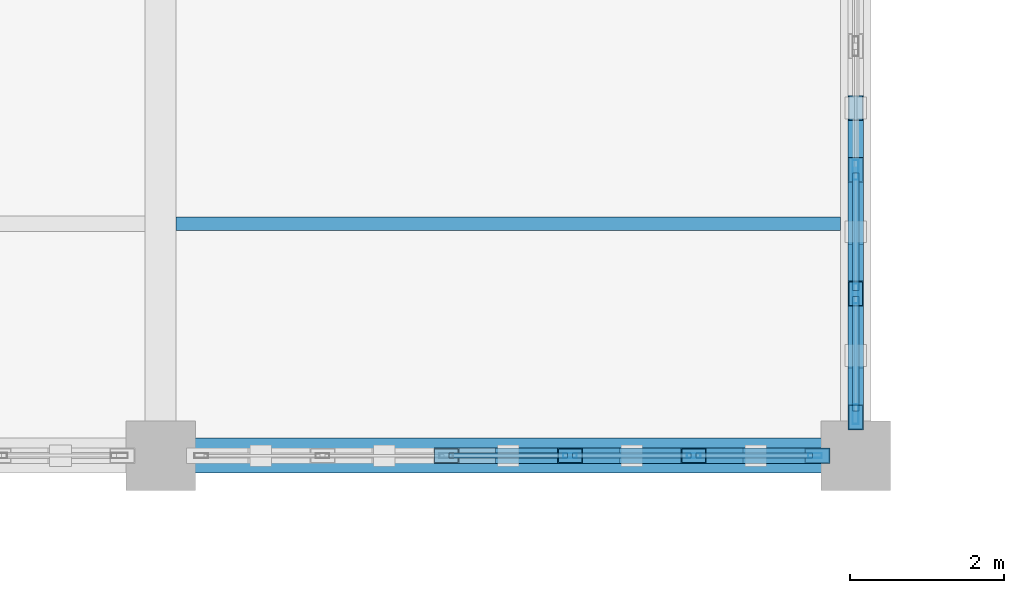
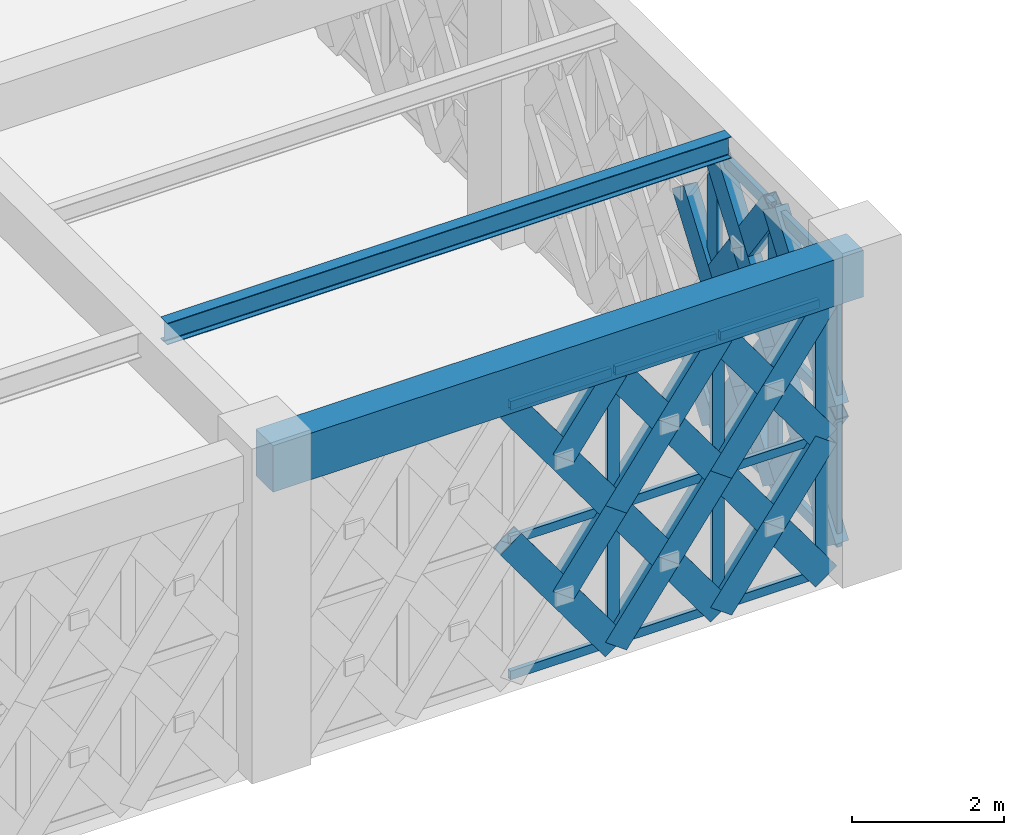
# One storey, part 81 of 155: 51 members, 2 beams, 2 elements without a shape of their own.
"""IFC4 building model written with IfcOpenShell, lengths in metres."""

import ifcopenshell
import ifcopenshell.guid

model = None  # the IFC model being written
_history = None  # IfcOwnerHistory: only IFC2X3 demands one
_inside = {}  # id of a spatial element -> (the spatial element, [elements in it])
_under = {}  # id of a project, library or spatial element -> (it, [spatial elements below it])
_declared = {}  # id of a project -> (the project, [libraries it declares])
_typed = {}  # id of a type object -> (the type object, [elements of that type])
_made_of = {}  # id of a material, layer set ... -> (it, [elements and type objects made of it])


def new_model(schema):
    """Start an empty IFC model of exactly this schema.

    Asked for "IFC4X3", IfcOpenShell would pick the latest addendum, in which some entities
    have other attributes; the version numbers below select the first issue.
    IFC2X3 requires an IfcOwnerHistory on every rooted entity: one is made here for all.
    """
    global model, _history
    if schema == "IFC4X3":
        model = ifcopenshell.file(schema_version=(4, 3, 0, 0))
    else:
        model = ifcopenshell.file(schema=schema)
    _inside.clear()
    _under.clear()
    _declared.clear()
    _typed.clear()
    _made_of.clear()
    _history = None
    if model.schema == "IFC2X3":
        org = make("IfcOrganization", Name="unknown")
        user = make(
            "IfcPersonAndOrganization",
            ThePerson=make("IfcPerson", FamilyName="unknown"),
            TheOrganization=org,
        )
        app = make(
            "IfcApplication",
            ApplicationDeveloper=org,
            Version="unknown",
            ApplicationFullName="unknown",
            ApplicationIdentifier="unknown",
        )
        _history = make(
            "IfcOwnerHistory",
            OwningUser=user,
            OwningApplication=app,
            ChangeAction="ADDED",
            CreationDate=0,
        )
    return model


def make(cls, **values):
    """One entity of the class cls with the attributes given. An attribute that is None is left unset."""
    return model.create_entity(
        cls, **{name: value for name, value in values.items() if value is not None}
    )


def rooted(cls, **values):
    """An entity with a GlobalId (a new one), such as an element, a storey or a relation."""
    return make(cls, GlobalId=ifcopenshell.guid.new(), OwnerHistory=_history, **values)


def si_unit(unit_type, name, prefix=None):
    """IfcSIUnit, for example si_unit("LENGTHUNIT", "METRE", prefix="MILLI")."""
    return make("IfcSIUnit", UnitType=unit_type, Prefix=prefix, Name=name)


def assignment(units):
    """IfcUnitAssignment: the units of a project."""
    return None if units is None else make("IfcUnitAssignment", Units=units)


def point(xyz):
    """IfcCartesianPoint."""
    return None if xyz is None else make("IfcCartesianPoint", Coordinates=xyz)


def direction(xyz):
    """IfcDirection."""
    return None if xyz is None else make("IfcDirection", DirectionRatios=xyz)


def frame(location, z_axis=None, x_axis=None):
    """IfcAxis2Placement3D, a coordinate frame: its origin and axes. An axis left out is left unset."""
    return make(
        "IfcAxis2Placement3D",
        Location=point(location),
        Axis=direction(z_axis),
        RefDirection=direction(x_axis),
    )


def frame_2d(location, x_axis=None):
    """IfcAxis2Placement2D, a coordinate frame in the plane: its origin and x axis."""
    return make(
        "IfcAxis2Placement2D", Location=point(location), RefDirection=direction(x_axis)
    )


def origin():
    """The frame at (0, 0, 0) with its axes left unset."""
    return frame((0.0, 0.0, 0.0))


def origin_2d():
    """The frame at (0, 0) in the plane with its x axis left unset."""
    return frame_2d((0.0, 0.0))


def place(relative_to, where):
    """IfcLocalPlacement: puts the frame where relative to a parent placement (None: the world)."""
    return make(
        "IfcLocalPlacement", PlacementRelTo=relative_to, RelativePlacement=where
    )


def context(
    kind, dimensions, precision=None, world=None, true_north=None, identifier=None
):
    """IfcGeometricRepresentationContext, for example the 3D "Model" context."""
    return make(
        "IfcGeometricRepresentationContext",
        ContextIdentifier=identifier,
        ContextType=kind,
        CoordinateSpaceDimension=dimensions,
        Precision=precision,
        WorldCoordinateSystem=world,
        TrueNorth=true_north,
    )


def subcontext(parent, identifier, kind, view, scale=None):
    """IfcGeometricRepresentationSubContext, for example "Body" below "Model"."""
    return make(
        "IfcGeometricRepresentationSubContext",
        ContextIdentifier=identifier,
        ContextType=kind,
        ParentContext=parent,
        TargetScale=scale,
        TargetView=view,
    )


def project(units=None, contexts=None):
    """IfcProject with its units and contexts."""
    return rooted(
        "IfcProject",
        Name="project",
        RepresentationContexts=contexts,
        UnitsInContext=assignment(units),
    )


def spatial(cls, under=None, at=None, **own):
    """A site, building, storey or space (cls), placed at a placement, below another one or the project."""
    s = rooted(cls, ObjectPlacement=at, **own)
    if under is not None:
        _under.setdefault(under.id(), (under, []))[1].append(s)
    return s


def profile(cls, at=None, kind="AREA", **sizes):
    """A parametric profile (cls). Its sizes go by their IFC names, for example OverallWidth=200.0."""
    return make(cls, ProfileType=kind, Position=at, **sizes)


def rectangle(**sizes):
    """IfcRectangleProfileDef."""
    return profile("IfcRectangleProfileDef", **sizes)


def hollow_rectangle(**sizes):
    """IfcRectangleHollowProfileDef."""
    return profile("IfcRectangleHollowProfileDef", **sizes)


def i_section(**sizes):
    """IfcIShapeProfileDef."""
    return profile("IfcIShapeProfileDef", **sizes)


def extrude(swept, where, along, depth):
    """IfcExtrudedAreaSolid: the profile swept, set in the frame where, extruded along a direction by depth."""
    return make(
        "IfcExtrudedAreaSolid",
        SweptArea=swept,
        Position=where,
        ExtrudedDirection=direction(along),
        Depth=depth,
    )


def shape(context_of_items, identifier, shape_type, items):
    """IfcShapeRepresentation: the items that make up one representation, for example the "Body"."""
    return make(
        "IfcShapeRepresentation",
        ContextOfItems=context_of_items,
        RepresentationIdentifier=identifier,
        RepresentationType=shape_type,
        Items=items,
    )


def material(Name=None, Category=None):
    """IfcMaterial."""
    return make("IfcMaterial", Name=Name, Category=Category)


def material_profile(
    of_material, cross_section, Name=None, Category=None, Priority=None
):
    """IfcMaterialProfile: a cross section and its material."""
    return make(
        "IfcMaterialProfile",
        Name=Name,
        Material=of_material,
        Profile=cross_section,
        Priority=Priority,
        Category=Category,
    )


def profile_set(profiles, Name=None, composite=None):
    """IfcMaterialProfileSet."""
    return make(
        "IfcMaterialProfileSet",
        Name=Name,
        MaterialProfiles=profiles,
        CompositeProfile=composite,
    )


def made_of(thing, what):
    """Note that an element or type object is made of a material, layer set ...; save() writes the relation."""
    if what is not None:
        _made_of.setdefault(what.id(), (what, []))[1].append(thing)
    return thing


def type_object(cls, material=None, **own):
    """A type object (cls), such as IfcWallType, which elements share."""
    return made_of(rooted(cls, **own), material)


def element(
    cls,
    number,
    at=None,
    inside=None,
    cuts=None,
    type_object=None,
    material=None,
    context=None,
    identifier="Body",
    shape_type=None,
    held_by="IfcProductDefinitionShape",
    body=None,
    shapes=None,
    **own,
):
    """One element of the class cls, such as IfcWall. Its Tag is "e" and its number.

    at: its placement. inside: the storey or other place that contains it. cuts: it is an
    opening in that element (IfcRelVoidsElement). A single representation is given by context,
    identifier, shape_type and body (its items); several are given by shapes. held_by: the class
    of the entity that holds the representations. save() writes the other relations.
    """
    e = rooted(cls, Tag="e%d" % number, ObjectPlacement=at, **own)
    if body is not None:
        shapes = [shape(context, identifier, shape_type, body)]
    if shapes is not None:
        e.Representation = make(held_by, Representations=shapes)
    if inside is not None:
        _inside.setdefault(inside.id(), (inside, []))[1].append(e)
    if cuts is not None:
        rooted(
            "IfcRelVoidsElement", RelatingBuildingElement=cuts, RelatedOpeningElement=e
        )
    if type_object is not None:
        _typed.setdefault(type_object.id(), (type_object, []))[1].append(e)
    return made_of(e, material)


def aggregate(whole, parts):
    """IfcRelAggregates: a whole, such as a stair, and the parts it consists of."""
    return rooted("IfcRelAggregates", RelatingObject=whole, RelatedObjects=parts)


def save(model, path):
    """Write the relations noted so far, then the file.

    IfcRelAggregates (storeys below a building ...), IfcRelContainedInSpatialStructure (elements
    in a storey), IfcRelDefinesByType, IfcRelAssociatesMaterial and IfcRelDeclares: one each for
    every whole, place, type object, material and project.
    """
    for whole, parts in _under.values():
        aggregate(whole, parts)
    for where, things in _inside.values():
        rooted(
            "IfcRelContainedInSpatialStructure",
            RelatedElements=things,
            RelatingStructure=where,
        )
    for kind, things in _typed.values():
        rooted("IfcRelDefinesByType", RelatedObjects=things, RelatingType=kind)
    for what, things in _made_of.values():
        rooted("IfcRelAssociatesMaterial", RelatedObjects=things, RelatingMaterial=what)
    for by, libraries in _declared.values():
        rooted("IfcRelDeclares", RelatingContext=by, RelatedDefinitions=libraries)
    model.write(path)


model = new_model("IFC4")

# Units and contexts
model_context = context("Model", 3, precision=1e-05, world=origin(), true_north=direction((0.0, 1.0)))
body_context = subcontext(model_context, "Body", "Model", "MODEL_VIEW")
ifc_project = project(units=[si_unit("LENGTHUNIT", "METRE"), si_unit("AREAUNIT", "SQUARE_METRE"), si_unit("VOLUMEUNIT", "CUBIC_METRE"), si_unit("PLANEANGLEUNIT", "RADIAN"), si_unit("MASSUNIT", "GRAM", prefix="KILO")], contexts=[model_context])

# Site, building, storey
site_placement = place(None, origin())
site = spatial("IfcSite", under=ifc_project, at=site_placement, CompositionType="ELEMENT")
building_placement = place(site_placement, origin())
building = spatial("IfcBuilding", under=site, at=building_placement, Name="Haizhuo Lancet Aquarium", CompositionType="ELEMENT")
storey_placement = place(building_placement, frame((0.0, 0.0, 10.800048828125)))
storey = spatial("IfcBuildingStorey", under=building, at=storey_placement, Name="L02", CompositionType="ELEMENT", Elevation=10.800048828125)

# Beam
ifc_material_1 = material(Name="Concrete C40/50", Category="concrete")
ifc_material_profile_1 = material_profile(ifc_material_1, rectangle(XDim=0.449951171875, YDim=0.75, at=origin_2d()), Name="RC-BM 450x750")
ifc_profile_set_1 = profile_set([ifc_material_profile_1], Name="Concrete C40/50")
beam_type_1 = type_object("IfcBeamType", Name="BM-RC-450x750", PredefinedType="BEAM", material=ifc_profile_set_1)
beam_1_placement = place(storey_placement, frame((18.0, 36.0, 4.784912109375), z_axis=(1.0, 0.0, 0.0), x_axis=(0.0, 1.0, 0.0)))
element("IfcBeam", 1, at=beam_1_placement, inside=storey, type_object=beam_type_1, Name="L02 V5 primary girder BM-L02-V5-029", PredefinedType="BEAM", context=body_context, shape_type="SweptSolid", body=[
    extrude(rectangle(XDim=0.449951171875, YDim=0.75, at=origin_2d()), origin(), (0.0, 0.0, 1.0), 9.0),
])

# Curtain wall, members
ifc_material_2 = material(Name="Aluminium 6063-T6", Category="aluminium")
curtain_wall_type_1 = type_object("IfcCurtainWallType", Name="CWD-8010x4410", PredefinedType="NOTDEFINED", material=ifc_material_2)
curtain_wall_1_placement = place(storey_placement, origin())
curtain_wall_1 = element("IfcCurtainWall", 2, at=curtain_wall_1_placement, inside=storey, type_object=curtain_wall_type_1, Name="L02 curtain wall CW-V5-L02-154", PredefinedType="NOTDEFINED")
ifc_material_profile_2 = material_profile(ifc_material_2, hollow_rectangle(XDim=0.06494140625, YDim=0.179931640625, WallThickness=0.00390625, at=origin_2d()), Name="ALU-M 65x180x4")
ifc_profile_set_2 = profile_set([ifc_material_profile_2], Name="Aluminium 6063-T6")
member_type_1 = type_object("IfcMemberType", Name="CW-MUL-1", PredefinedType="MULLION", material=ifc_profile_set_2)
member_1_placement = place(storey_placement, frame((26.472900390625, 36.0, 0.0), z_axis=(0.0, 0.0, 1.0), x_axis=(0.0, -1.0, 0.0)))
member_1 = element("IfcMember", 3, at=member_1_placement, type_object=member_type_1, Name="CWD-80x44 mullion 1", PredefinedType="MULLION", context=body_context, shape_type="SweptSolid", body=[
    extrude(hollow_rectangle(XDim=0.06494140625, YDim=0.179931640625, WallThickness=0.00390625, at=origin_2d()), origin(), (0.0, 0.0, 1.0), 4.409912109375),
])
member_2_placement = place(storey_placement, frame((24.903076171875, 36.0, 0.0), z_axis=(0.0, 0.0, 1.0), x_axis=(0.0, -1.0, 0.0)))
member_2 = element("IfcMember", 4, at=member_2_placement, type_object=member_type_1, Name="CWD-80x44 mullion 2", PredefinedType="MULLION", context=body_context, shape_type="SweptSolid", body=[
    extrude(hollow_rectangle(XDim=0.06494140625, YDim=0.179931640625, WallThickness=0.00390625, at=origin_2d()), origin(), (0.0, 0.0, 1.0), 4.409912109375),
])
member_3_placement = place(storey_placement, frame((23.301025390625, 36.0, 0.0), z_axis=(0.0, 0.0, 1.0), x_axis=(0.0, -1.0, 0.0)))
member_3 = element("IfcMember", 5, at=member_3_placement, type_object=member_type_1, Name="CWD-80x44 mullion 3", PredefinedType="MULLION", context=body_context, shape_type="SweptSolid", body=[
    extrude(hollow_rectangle(XDim=0.06494140625, YDim=0.179931640625, WallThickness=0.00390625, at=origin_2d()), origin(), (0.0, 0.0, 1.0), 4.409912109375),
])

curtain_wall_type_2 = type_object("IfcCurtainWallType", Name="CWD-8010x4460", PredefinedType="NOTDEFINED", material=ifc_material_2)
curtain_wall_2_placement = place(storey_placement, origin())
curtain_wall_2 = element("IfcCurtainWall", 6, at=curtain_wall_2_placement, inside=storey, type_object=curtain_wall_type_2, Name="L02 curtain wall CW-V5-L02-153", PredefinedType="NOTDEFINED")
ifc_material_profile_3 = material_profile(ifc_material_2, hollow_rectangle(XDim=0.080078125, YDim=0.260009765625, WallThickness=0.0048828125, at=origin_2d()), Name="ALU-M 80x260x5")
ifc_profile_set_3 = profile_set([ifc_material_profile_3], Name="Aluminium 6063-T6")
member_type_2 = type_object("IfcMemberType", Name="CW-MUL-3", PredefinedType="MULLION", material=ifc_profile_set_3)
member_4_placement = place(storey_placement, frame((27.0, 39.698974609375, 0.0), z_axis=(0.0, 0.0, 1.0), x_axis=(1.0, 0.0, 0.0)))
member_4 = element("IfcMember", 7, at=member_4_placement, type_object=member_type_2, Name="CWD-80x44 mullion 4", PredefinedType="MULLION", context=body_context, shape_type="SweptSolid", body=[
    extrude(hollow_rectangle(XDim=0.080078125, YDim=0.260009765625, WallThickness=0.0048828125, at=origin_2d()), origin(), (0.0, 0.0, 1.0), 4.4599609375),
])
member_5_placement = place(storey_placement, frame((27.0, 38.096923828125, 0.0), z_axis=(0.0, 0.0, 1.0), x_axis=(1.0, 0.0, 0.0)))
member_5 = element("IfcMember", 8, at=member_5_placement, type_object=member_type_2, Name="CWD-80x44 mullion 5", PredefinedType="MULLION", context=body_context, shape_type="SweptSolid", body=[
    extrude(hollow_rectangle(XDim=0.080078125, YDim=0.260009765625, WallThickness=0.0048828125, at=origin_2d()), origin(), (0.0, 0.0, 1.0), 4.4599609375),
])
member_6_placement = place(storey_placement, frame((27.0, 36.534912109375, 0.0), z_axis=(0.0, 0.0, 1.0), x_axis=(1.0, 0.0, 0.0)))
member_6 = element("IfcMember", 9, at=member_6_placement, type_object=member_type_2, Name="CWD-80x44 mullion 6", PredefinedType="MULLION", context=body_context, shape_type="SweptSolid", body=[
    extrude(hollow_rectangle(XDim=0.080078125, YDim=0.260009765625, WallThickness=0.0048828125, at=origin_2d()), origin(), (0.0, 0.0, 1.0), 4.4599609375),
])

# Member
ifc_material_profile_4 = material_profile(ifc_material_2, hollow_rectangle(XDim=0.06494140625, YDim=0.139892578125, WallThickness=0.00390625, at=origin_2d()), Name="ALU-T 65x140x4")
ifc_profile_set_4 = profile_set([ifc_material_profile_4], Name="Aluminium 6063-T6")
member_type_3 = type_object("IfcMemberType", Name="CW-TRN-1", PredefinedType="NOTDEFINED", material=ifc_profile_set_4)
member_7_placement = place(storey_placement, frame((26.43994140625, 36.0, 0.032958984375), z_axis=(-1.0, 0.0, 0.0), x_axis=(0.0, -1.0, 0.0)))
member_7 = element("IfcMember", 10, at=member_7_placement, type_object=member_type_3, Name="CWD-80x44 transom 1.1", ObjectType="TRANSOM", PredefinedType="USERDEFINED", context=body_context, shape_type="SweptSolid", body=[
    extrude(hollow_rectangle(XDim=0.06494140625, YDim=0.139892578125, WallThickness=0.00390625, at=origin_2d()), origin(), (0.0, 0.0, 1.0), 1.5048828125),
])

member_8_placement = place(storey_placement, frame((26.43994140625, 36.0, 2.204833984375), z_axis=(-1.0, 0.0, 0.0), x_axis=(0.0, -1.0, 0.0)))
member_8 = element("IfcMember", 11, at=member_8_placement, type_object=member_type_3, Name="CWD-80x44 transom 1.2", ObjectType="TRANSOM", PredefinedType="USERDEFINED", context=body_context, shape_type="SweptSolid", body=[
    extrude(hollow_rectangle(XDim=0.06494140625, YDim=0.139892578125, WallThickness=0.00390625, at=origin_2d()), origin(), (0.0, 0.0, 1.0), 1.5048828125),
])

member_9_placement = place(storey_placement, frame((26.43994140625, 36.0, 4.3779296875), z_axis=(-1.0, 0.0, 0.0), x_axis=(0.0, -1.0, 0.0)))
member_9 = element("IfcMember", 12, at=member_9_placement, type_object=member_type_3, Name="CWD-80x44 transom 1.3", ObjectType="TRANSOM", PredefinedType="USERDEFINED", context=body_context, shape_type="SweptSolid", body=[
    extrude(hollow_rectangle(XDim=0.06494140625, YDim=0.139892578125, WallThickness=0.00390625, at=origin_2d()), origin(), (0.0, 0.0, 1.0), 1.5048828125),
])

member_10_placement = place(storey_placement, frame((24.8701171875, 36.0, 0.032958984375), z_axis=(-1.0, 0.0, 0.0), x_axis=(0.0, -1.0, 0.0)))
member_10 = element("IfcMember", 13, at=member_10_placement, type_object=member_type_3, Name="CWD-80x44 transom 2.1", ObjectType="TRANSOM", PredefinedType="USERDEFINED", context=body_context, shape_type="SweptSolid", body=[
    extrude(hollow_rectangle(XDim=0.06494140625, YDim=0.139892578125, WallThickness=0.00390625, at=origin_2d()), origin(), (0.0, 0.0, 1.0), 1.5361328125),
])

member_11_placement = place(storey_placement, frame((24.8701171875, 36.0, 2.204833984375), z_axis=(-1.0, 0.0, 0.0), x_axis=(0.0, -1.0, 0.0)))
member_11 = element("IfcMember", 14, at=member_11_placement, type_object=member_type_3, Name="CWD-80x44 transom 2.2", ObjectType="TRANSOM", PredefinedType="USERDEFINED", context=body_context, shape_type="SweptSolid", body=[
    extrude(hollow_rectangle(XDim=0.06494140625, YDim=0.139892578125, WallThickness=0.00390625, at=origin_2d()), origin(), (0.0, 0.0, 1.0), 1.5361328125),
])

member_12_placement = place(storey_placement, frame((24.8701171875, 36.0, 4.3779296875), z_axis=(-1.0, 0.0, 0.0), x_axis=(0.0, -1.0, 0.0)))
member_12 = element("IfcMember", 15, at=member_12_placement, type_object=member_type_3, Name="CWD-80x44 transom 2.3", ObjectType="TRANSOM", PredefinedType="USERDEFINED", context=body_context, shape_type="SweptSolid", body=[
    extrude(hollow_rectangle(XDim=0.06494140625, YDim=0.139892578125, WallThickness=0.00390625, at=origin_2d()), origin(), (0.0, 0.0, 1.0), 1.5361328125),
])

member_13_placement = place(storey_placement, frame((23.26806640625, 36.0, 0.032958984375), z_axis=(-1.0, 0.0, 0.0), x_axis=(0.0, -1.0, 0.0)))
member_13 = element("IfcMember", 16, at=member_13_placement, type_object=member_type_3, Name="CWD-80x44 transom 3.1", ObjectType="TRANSOM", PredefinedType="USERDEFINED", context=body_context, shape_type="SweptSolid", body=[
    extrude(hollow_rectangle(XDim=0.06494140625, YDim=0.139892578125, WallThickness=0.00390625, at=origin_2d()), origin(), (0.0, 0.0, 1.0), 1.5361328125),
])

member_14_placement = place(storey_placement, frame((23.26806640625, 36.0, 2.204833984375), z_axis=(-1.0, 0.0, 0.0), x_axis=(0.0, -1.0, 0.0)))
member_14 = element("IfcMember", 17, at=member_14_placement, type_object=member_type_3, Name="CWD-80x44 transom 3.2", ObjectType="TRANSOM", PredefinedType="USERDEFINED", context=body_context, shape_type="SweptSolid", body=[
    extrude(hollow_rectangle(XDim=0.06494140625, YDim=0.139892578125, WallThickness=0.00390625, at=origin_2d()), origin(), (0.0, 0.0, 1.0), 1.5361328125),
])

member_15_placement = place(storey_placement, frame((23.26806640625, 36.0, 4.3779296875), z_axis=(-1.0, 0.0, 0.0), x_axis=(0.0, -1.0, 0.0)))
member_15 = element("IfcMember", 18, at=member_15_placement, type_object=member_type_3, Name="CWD-80x44 transom 3.3", ObjectType="TRANSOM", PredefinedType="USERDEFINED", context=body_context, shape_type="SweptSolid", body=[
    extrude(hollow_rectangle(XDim=0.06494140625, YDim=0.139892578125, WallThickness=0.00390625, at=origin_2d()), origin(), (0.0, 0.0, 1.0), 1.5361328125),
])

aggregate(curtain_wall_1, [member_1, member_2, member_3, member_7, member_8, member_9, member_10, member_11, member_12, member_13, member_14, member_15])

ifc_material_profile_5 = material_profile(ifc_material_2, hollow_rectangle(XDim=0.080078125, YDim=0.18994140625, WallThickness=0.0048828125, at=origin_2d()), Name="ALU-T 80x190x5")
ifc_profile_set_5 = profile_set([ifc_material_profile_5], Name="Aluminium 6063-T6")
member_type_4 = type_object("IfcMemberType", Name="CW-TRN-3", PredefinedType="NOTDEFINED", material=ifc_profile_set_5)
member_16_placement = place(storey_placement, frame((27.0, 39.658935546875, 0.0400390625), z_axis=(0.0, -1.0, 0.0), x_axis=(1.0, 0.0, 0.0)))
member_16 = element("IfcMember", 19, at=member_16_placement, type_object=member_type_4, Name="CWD-80x44 transom 4.1", ObjectType="TRANSOM", PredefinedType="USERDEFINED", context=body_context, shape_type="SweptSolid", body=[
    extrude(hollow_rectangle(XDim=0.080078125, YDim=0.18994140625, WallThickness=0.0048828125, at=origin_2d()), origin(), (0.0, 0.0, 1.0), 1.52197265625),
])

member_17_placement = place(storey_placement, frame((27.0, 39.658935546875, 2.22998046875), z_axis=(0.0, -1.0, 0.0), x_axis=(1.0, 0.0, 0.0)))
member_17 = element("IfcMember", 20, at=member_17_placement, type_object=member_type_4, Name="CWD-80x44 transom 4.2", ObjectType="TRANSOM", PredefinedType="USERDEFINED", context=body_context, shape_type="SweptSolid", body=[
    extrude(hollow_rectangle(XDim=0.080078125, YDim=0.18994140625, WallThickness=0.0048828125, at=origin_2d()), origin(), (0.0, 0.0, 1.0), 1.52197265625),
])

member_18_placement = place(storey_placement, frame((27.0, 39.658935546875, 4.419921875), z_axis=(0.0, -1.0, 0.0), x_axis=(1.0, 0.0, 0.0)))
member_18 = element("IfcMember", 21, at=member_18_placement, type_object=member_type_4, Name="CWD-80x44 transom 4.3", ObjectType="TRANSOM", PredefinedType="USERDEFINED", context=body_context, shape_type="SweptSolid", body=[
    extrude(hollow_rectangle(XDim=0.080078125, YDim=0.18994140625, WallThickness=0.0048828125, at=origin_2d()), origin(), (0.0, 0.0, 1.0), 1.52197265625),
])

member_19_placement = place(storey_placement, frame((27.0, 38.056884765625, 0.0400390625), z_axis=(0.0, -1.0, 0.0), x_axis=(1.0, 0.0, 0.0)))
member_19 = element("IfcMember", 22, at=member_19_placement, type_object=member_type_4, Name="CWD-80x44 transom 5.1", ObjectType="TRANSOM", PredefinedType="USERDEFINED", context=body_context, shape_type="SweptSolid", body=[
    extrude(hollow_rectangle(XDim=0.080078125, YDim=0.18994140625, WallThickness=0.0048828125, at=origin_2d()), origin(), (0.0, 0.0, 1.0), 1.48193359375),
])

member_20_placement = place(storey_placement, frame((27.0, 38.056884765625, 2.22998046875), z_axis=(0.0, -1.0, 0.0), x_axis=(1.0, 0.0, 0.0)))
member_20 = element("IfcMember", 23, at=member_20_placement, type_object=member_type_4, Name="CWD-80x44 transom 5.2", ObjectType="TRANSOM", PredefinedType="USERDEFINED", context=body_context, shape_type="SweptSolid", body=[
    extrude(hollow_rectangle(XDim=0.080078125, YDim=0.18994140625, WallThickness=0.0048828125, at=origin_2d()), origin(), (0.0, 0.0, 1.0), 1.48193359375),
])

member_21_placement = place(storey_placement, frame((27.0, 38.056884765625, 4.419921875), z_axis=(0.0, -1.0, 0.0), x_axis=(1.0, 0.0, 0.0)))
member_21 = element("IfcMember", 24, at=member_21_placement, type_object=member_type_4, Name="CWD-80x44 transom 5.3", ObjectType="TRANSOM", PredefinedType="USERDEFINED", context=body_context, shape_type="SweptSolid", body=[
    extrude(hollow_rectangle(XDim=0.080078125, YDim=0.18994140625, WallThickness=0.0048828125, at=origin_2d()), origin(), (0.0, 0.0, 1.0), 1.48193359375),
])

aggregate(curtain_wall_2, [member_4, member_5, member_6, member_16, member_17, member_18, member_19, member_20, member_21])

# Beam
ifc_material_3 = material(Name="Steel S355", Category="steel")
ifc_material_profile_6 = material_profile(ifc_material_3, i_section(OverallWidth=0.175048828125, OverallDepth=0.35009765625, WebThickness=0.007080078125, FlangeThickness=0.010986328125, FilletRadius=0.013916015625, at=origin_2d()), Name="HN 350x175x7x11")
ifc_profile_set_6 = profile_set([ifc_material_profile_6], Name="Steel S355")
beam_type_2 = type_object("IfcBeamType", Name="JST-ST-HN350", PredefinedType="JOIST", material=ifc_profile_set_6)
beam_2_placement = place(storey_placement, frame((18.199951171875, 39.0, 4.98486328125), z_axis=(1.0, 0.0, 0.0), x_axis=(0.0, 1.0, 0.0)))
element("IfcBeam", 25, at=beam_2_placement, inside=storey, type_object=beam_type_2, Name="L02 V5 secondary floor joist 15", PredefinedType="JOIST", context=body_context, shape_type="SweptSolid", body=[
    extrude(i_section(OverallWidth=0.175048828125, OverallDepth=0.35009765625, WebThickness=0.007080078125, FlangeThickness=0.010986328125, FilletRadius=0.013916015625, at=origin_2d()), origin(), (0.0, 0.0, 1.0), 8.60009765625),
])

# Members
ifc_material_profile_7 = material_profile(ifc_material_3, hollow_rectangle(XDim=0.199951171875, YDim=0.39990234375, WallThickness=0.011962890625, at=origin_2d()), Name="RHS 200x400x12")
ifc_profile_set_7 = profile_set([ifc_material_profile_7], Name="Steel S355")
member_type_5 = type_object("IfcMemberType", Name="MEM-LB-RHS200x400", PredefinedType="BRACE", material=ifc_profile_set_7)
for number, where, z_axis, x_axis, name in (
    (26, (27.0, 39.698974609375, 0.0), (0.0, 0.583456487426, 0.81214440051), (-1.0, 0.0, 0.0), "Gothic lancet split diagonal brace CW-V5-L02-153 5B1"),
    (27, (27.0, 39.698974609375, 2.22998046875), (0.0, 0.583456487426, 0.81214440051), (-1.0, 0.0, 0.0), "Gothic lancet split diagonal brace CW-V5-L02-153 6B1"),
):
    element("IfcMember", number, at=place(storey_placement, frame(where, z_axis=z_axis, x_axis=x_axis)), inside=storey, type_object=member_type_5, Name=name, PredefinedType="BRACE", context=body_context, shape_type="SweptSolid", body=[
        extrude(hollow_rectangle(XDim=0.199951171875, YDim=0.39990234375, WallThickness=0.011962890625, at=origin_2d()), origin(), (0.0, 0.0, 1.0), 1.372802734375),
    ])
member_22_placement = place(storey_placement, frame((27.0, 39.698974609375, 0.0), z_axis=(0.0, -0.583456487426, 0.81214440051), x_axis=(1.0, 0.0, 0.0)))
element("IfcMember", 28, at=member_22_placement, inside=storey, type_object=member_type_5, Name="Gothic lancet continuous diagonal brace CW-V5-L02-153 7A", PredefinedType="BRACE", context=body_context, shape_type="SweptSolid", body=[
    extrude(hollow_rectangle(XDim=0.199951171875, YDim=0.39990234375, WallThickness=0.011962890625, at=origin_2d()), origin(), (0.0, 0.0, 1.0), 2.745849609375),
])
for number, where, z_axis, x_axis, name in (
    (29, (27.0, 38.096923828125, 0.0), (0.0, 0.583456487426, 0.81214440051), (-1.0, 0.0, 0.0), "Gothic lancet split diagonal brace CW-V5-L02-153 7B1"),
    (30, (27.0, 38.89794921875, 1.114990234375), (0.0, 0.583456487426, 0.81214440051), (-1.0, 0.0, 0.0), "Gothic lancet split diagonal brace CW-V5-L02-153 7B2"),
):
    element("IfcMember", number, at=place(storey_placement, frame(where, z_axis=z_axis, x_axis=x_axis)), inside=storey, type_object=member_type_5, Name=name, PredefinedType="BRACE", context=body_context, shape_type="SweptSolid", body=[
        extrude(hollow_rectangle(XDim=0.199951171875, YDim=0.39990234375, WallThickness=0.011962890625, at=origin_2d()), origin(), (0.0, 0.0, 1.0), 1.372802734375),
    ])
member_23_placement = place(storey_placement, frame((27.0, 39.698974609375, 2.22998046875), z_axis=(0.0, -0.583456487426, 0.81214440051), x_axis=(1.0, 0.0, 0.0)))
element("IfcMember", 31, at=member_23_placement, inside=storey, type_object=member_type_5, Name="Gothic lancet continuous diagonal brace CW-V5-L02-153 8A", PredefinedType="BRACE", context=body_context, shape_type="SweptSolid", body=[
    extrude(hollow_rectangle(XDim=0.199951171875, YDim=0.39990234375, WallThickness=0.011962890625, at=origin_2d()), origin(), (0.0, 0.0, 1.0), 2.745849609375),
])
for number, where, z_axis, x_axis, name in (
    (32, (27.0, 38.096923828125, 2.22998046875), (0.0, 0.583456487426, 0.81214440051), (-1.0, 0.0, 0.0), "Gothic lancet split diagonal brace CW-V5-L02-153 8B1"),
    (33, (27.0, 38.89794921875, 3.344970703125), (0.0, 0.583456487426, 0.81214440051), (-1.0, 0.0, 0.0), "Gothic lancet split diagonal brace CW-V5-L02-153 8B2"),
):
    element("IfcMember", number, at=place(storey_placement, frame(where, z_axis=z_axis, x_axis=x_axis)), inside=storey, type_object=member_type_5, Name=name, PredefinedType="BRACE", context=body_context, shape_type="SweptSolid", body=[
        extrude(hollow_rectangle(XDim=0.199951171875, YDim=0.39990234375, WallThickness=0.011962890625, at=origin_2d()), origin(), (0.0, 0.0, 1.0), 1.372802734375),
    ])
member_24_placement = place(storey_placement, frame((27.0, 38.096923828125, 0.0), z_axis=(0.0, -0.583397836814, 0.812186532763), x_axis=(1.0, 0.0, 0.0)))
element("IfcMember", 34, at=member_24_placement, inside=storey, type_object=member_type_5, Name="Gothic lancet continuous diagonal brace CW-V5-L02-153 9A", PredefinedType="BRACE", context=body_context, shape_type="SweptSolid", body=[
    extrude(hollow_rectangle(XDim=0.199951171875, YDim=0.39990234375, WallThickness=0.011962890625, at=origin_2d()), origin(), (0.0, 0.0, 1.0), 2.74560546875),
])
for number, where, z_axis, x_axis, name in (
    (35, (27.0, 36.4951171875, 0.0), (0.0, 0.583339177073, 0.81222866515), (-1.0, 0.0, 0.0), "Gothic lancet split diagonal brace CW-V5-L02-153 9B1"),
    (36, (27.0, 37.2958984375, 1.114990234375), (0.0, 0.583456487426, 0.81214440051), (-1.0, 0.0, 0.0), "Gothic lancet split diagonal brace CW-V5-L02-153 9B2"),
):
    element("IfcMember", number, at=place(storey_placement, frame(where, z_axis=z_axis, x_axis=x_axis)), inside=storey, type_object=member_type_5, Name=name, PredefinedType="BRACE", context=body_context, shape_type="SweptSolid", body=[
        extrude(hollow_rectangle(XDim=0.199951171875, YDim=0.39990234375, WallThickness=0.011962890625, at=origin_2d()), origin(), (0.0, 0.0, 1.0), 1.372802734375),
    ])
member_25_placement = place(storey_placement, frame((27.0, 38.096923828125, 2.22998046875), z_axis=(0.0, -0.583397836814, 0.812186532763), x_axis=(1.0, 0.0, 0.0)))
element("IfcMember", 37, at=member_25_placement, inside=storey, type_object=member_type_5, Name="Gothic lancet continuous diagonal brace CW-V5-L02-153 10A", PredefinedType="BRACE", context=body_context, shape_type="SweptSolid", body=[
    extrude(hollow_rectangle(XDim=0.199951171875, YDim=0.39990234375, WallThickness=0.011962890625, at=origin_2d()), origin(), (0.0, 0.0, 1.0), 2.74560546875),
])
for number, where, z_axis, x_axis, name in (
    (38, (27.0, 36.4951171875, 2.22998046875), (0.0, 0.583339177073, 0.81222866515), (-1.0, 0.0, 0.0), "Gothic lancet split diagonal brace CW-V5-L02-153 10B1"),
    (39, (27.0, 37.2958984375, 3.344970703125), (0.0, 0.583456487426, 0.81214440051), (-1.0, 0.0, 0.0), "Gothic lancet split diagonal brace CW-V5-L02-153 10B2"),
):
    element("IfcMember", number, at=place(storey_placement, frame(where, z_axis=z_axis, x_axis=x_axis)), inside=storey, type_object=member_type_5, Name=name, PredefinedType="BRACE", context=body_context, shape_type="SweptSolid", body=[
        extrude(hollow_rectangle(XDim=0.199951171875, YDim=0.39990234375, WallThickness=0.011962890625, at=origin_2d()), origin(), (0.0, 0.0, 1.0), 1.372802734375),
    ])
member_26_placement = place(storey_placement, frame((26.5048828125, 36.0, 0.0), z_axis=(-0.587761471996, 0.0, 0.809034271238), x_axis=(0.0, -1.0, 0.0)))
element("IfcMember", 40, at=member_26_placement, inside=storey, type_object=member_type_5, Name="Gothic lancet continuous diagonal brace CW-V5-L02-154 1A", PredefinedType="BRACE", context=body_context, shape_type="SweptSolid", body=[
    extrude(hollow_rectangle(XDim=0.199951171875, YDim=0.39990234375, WallThickness=0.011962890625, at=origin_2d()), origin(), (0.0, 0.0, 1.0), 2.725341796875),
])
member_27_placement = place(storey_placement, frame((24.903076171875, 36.0, 0.0), z_axis=(0.587947920096, 0.0, 0.808898784308), x_axis=(0.0, 1.0, 0.0)))
element("IfcMember", 41, at=member_27_placement, inside=storey, type_object=member_type_5, Name="Gothic lancet split diagonal brace CW-V5-L02-154 1B1", PredefinedType="BRACE", context=body_context, shape_type="SweptSolid", body=[
    extrude(hollow_rectangle(XDim=0.199951171875, YDim=0.39990234375, WallThickness=0.011962890625, at=origin_2d()), origin(), (0.0, 0.0, 1.0), 1.3623046875),
])
member_28_placement = place(storey_placement, frame((25.7041015625, 36.0, 1.10205078125), z_axis=(0.587575054123, 0.0, 0.809169670571), x_axis=(0.0, 1.0, 0.0)))
element("IfcMember", 42, at=member_28_placement, inside=storey, type_object=member_type_5, Name="Gothic lancet split diagonal brace CW-V5-L02-154 1B2", PredefinedType="BRACE", context=body_context, shape_type="SweptSolid", body=[
    extrude(hollow_rectangle(XDim=0.199951171875, YDim=0.39990234375, WallThickness=0.011962890625, at=origin_2d()), origin(), (0.0, 0.0, 1.0), 1.36279296875),
])
member_29_placement = place(storey_placement, frame((26.5048828125, 36.0, 2.204833984375), z_axis=(-0.587718875297, 0.0, 0.809065215925), x_axis=(0.0, -1.0, 0.0)))
element("IfcMember", 43, at=member_29_placement, inside=storey, type_object=member_type_5, Name="Gothic lancet continuous diagonal brace CW-V5-L02-154 2A", PredefinedType="BRACE", context=body_context, shape_type="SweptSolid", body=[
    extrude(hollow_rectangle(XDim=0.199951171875, YDim=0.39990234375, WallThickness=0.011962890625, at=origin_2d()), origin(), (0.0, 0.0, 1.0), 2.7255859375),
])
member_30_placement = place(storey_placement, frame((24.903076171875, 36.0, 2.204833984375), z_axis=(0.58760716657, 0.0, 0.809146351284), x_axis=(0.0, 1.0, 0.0)))
element("IfcMember", 44, at=member_30_placement, inside=storey, type_object=member_type_5, Name="Gothic lancet split diagonal brace CW-V5-L02-154 2B1", PredefinedType="BRACE", context=body_context, shape_type="SweptSolid", body=[
    extrude(hollow_rectangle(XDim=0.199951171875, YDim=0.39990234375, WallThickness=0.011962890625, at=origin_2d()), origin(), (0.0, 0.0, 1.0), 1.36328125),
])
member_31_placement = place(storey_placement, frame((25.7041015625, 36.0, 3.307861328125), z_axis=(0.587830649366, 0.0, 0.808984009524), x_axis=(0.0, 1.0, 0.0)))
element("IfcMember", 45, at=member_31_placement, inside=storey, type_object=member_type_5, Name="Gothic lancet split diagonal brace CW-V5-L02-154 2B2", PredefinedType="BRACE", context=body_context, shape_type="SweptSolid", body=[
    extrude(hollow_rectangle(XDim=0.199951171875, YDim=0.39990234375, WallThickness=0.011962890625, at=origin_2d()), origin(), (0.0, 0.0, 1.0), 1.3623046875),
])
member_32_placement = place(storey_placement, frame((24.903076171875, 36.0, 0.0), z_axis=(-0.587820103443, 0.0, 0.808991672385), x_axis=(0.0, -1.0, 0.0)))
element("IfcMember", 46, at=member_32_placement, inside=storey, type_object=member_type_5, Name="Gothic lancet continuous diagonal brace CW-V5-L02-154 3A", PredefinedType="BRACE", context=body_context, shape_type="SweptSolid", body=[
    extrude(hollow_rectangle(XDim=0.199951171875, YDim=0.39990234375, WallThickness=0.011962890625, at=origin_2d()), origin(), (0.0, 0.0, 1.0), 2.725341796875),
])
member_33_placement = place(storey_placement, frame((23.301025390625, 36.0, 0.0), z_axis=(0.587947920096, 0.0, 0.808898784308), x_axis=(0.0, 1.0, 0.0)))
element("IfcMember", 47, at=member_33_placement, inside=storey, type_object=member_type_5, Name="Gothic lancet split diagonal brace CW-V5-L02-154 3B1", PredefinedType="BRACE", context=body_context, shape_type="SweptSolid", body=[
    extrude(hollow_rectangle(XDim=0.199951171875, YDim=0.39990234375, WallThickness=0.011962890625, at=origin_2d()), origin(), (0.0, 0.0, 1.0), 1.3623046875),
])
member_34_placement = place(storey_placement, frame((24.10205078125, 36.0, 1.10205078125), z_axis=(0.587692327688, 0.0, 0.809084499899), x_axis=(0.0, 1.0, 0.0)))
element("IfcMember", 48, at=member_34_placement, inside=storey, type_object=member_type_5, Name="Gothic lancet split diagonal brace CW-V5-L02-154 3B2", PredefinedType="BRACE", context=body_context, shape_type="SweptSolid", body=[
    extrude(hollow_rectangle(XDim=0.199951171875, YDim=0.39990234375, WallThickness=0.011962890625, at=origin_2d()), origin(), (0.0, 0.0, 1.0), 1.363037109375),
])
member_35_placement = place(storey_placement, frame((24.903076171875, 36.0, 2.204833984375), z_axis=(-0.587777506981, 0.0, 0.809022621617), x_axis=(0.0, -1.0, 0.0)))
element("IfcMember", 49, at=member_35_placement, inside=storey, type_object=member_type_5, Name="Gothic lancet continuous diagonal brace CW-V5-L02-154 4A", PredefinedType="BRACE", context=body_context, shape_type="SweptSolid", body=[
    extrude(hollow_rectangle(XDim=0.199951171875, YDim=0.39990234375, WallThickness=0.011962890625, at=origin_2d()), origin(), (0.0, 0.0, 1.0), 2.7255859375),
])
member_36_placement = place(storey_placement, frame((23.301025390625, 36.0, 2.204833984375), z_axis=(0.58760716657, 0.0, 0.809146351284), x_axis=(0.0, 1.0, 0.0)))
element("IfcMember", 50, at=member_36_placement, inside=storey, type_object=member_type_5, Name="Gothic lancet split diagonal brace CW-V5-L02-154 4B1", PredefinedType="BRACE", context=body_context, shape_type="SweptSolid", body=[
    extrude(hollow_rectangle(XDim=0.199951171875, YDim=0.39990234375, WallThickness=0.011962890625, at=origin_2d()), origin(), (0.0, 0.0, 1.0), 1.36328125),
])
member_37_placement = place(storey_placement, frame((24.10205078125, 36.0, 3.307861328125), z_axis=(0.587947920096, 0.0, 0.808898784308), x_axis=(0.0, 1.0, 0.0)))
element("IfcMember", 51, at=member_37_placement, inside=storey, type_object=member_type_5, Name="Gothic lancet split diagonal brace CW-V5-L02-154 4B2", PredefinedType="BRACE", context=body_context, shape_type="SweptSolid", body=[
    extrude(hollow_rectangle(XDim=0.199951171875, YDim=0.39990234375, WallThickness=0.011962890625, at=origin_2d()), origin(), (0.0, 0.0, 1.0), 1.3623046875),
])
member_38_placement = place(storey_placement, frame((23.301025390625, 36.0, 0.0), z_axis=(-0.587820103443, 0.0, 0.808991672385), x_axis=(0.0, -1.0, 0.0)))
element("IfcMember", 52, at=member_38_placement, inside=storey, type_object=member_type_5, Name="Gothic lancet continuous diagonal brace CW-V5-L02-154 5A", PredefinedType="BRACE", context=body_context, shape_type="SweptSolid", body=[
    extrude(hollow_rectangle(XDim=0.199951171875, YDim=0.39990234375, WallThickness=0.011962890625, at=origin_2d()), origin(), (0.0, 0.0, 1.0), 2.725341796875),
])
member_39_placement = place(storey_placement, frame((22.5, 36.0, 1.10205078125), z_axis=(0.587692327688, 0.0, 0.809084499899), x_axis=(0.0, 1.0, 0.0)))
element("IfcMember", 53, at=member_39_placement, inside=storey, type_object=member_type_5, Name="Gothic lancet split diagonal brace CW-V5-L02-154 5B2", PredefinedType="BRACE", context=body_context, shape_type="SweptSolid", body=[
    extrude(hollow_rectangle(XDim=0.199951171875, YDim=0.39990234375, WallThickness=0.011962890625, at=origin_2d()), origin(), (0.0, 0.0, 1.0), 1.363037109375),
])
member_40_placement = place(storey_placement, frame((23.301025390625, 36.0, 2.204833984375), z_axis=(-0.587777506981, 0.0, 0.809022621617), x_axis=(0.0, -1.0, 0.0)))
element("IfcMember", 54, at=member_40_placement, inside=storey, type_object=member_type_5, Name="Gothic lancet continuous diagonal brace CW-V5-L02-154 6A", PredefinedType="BRACE", context=body_context, shape_type="SweptSolid", body=[
    extrude(hollow_rectangle(XDim=0.199951171875, YDim=0.39990234375, WallThickness=0.011962890625, at=origin_2d()), origin(), (0.0, 0.0, 1.0), 2.7255859375),
])
member_41_placement = place(storey_placement, frame((22.5, 36.0, 3.307861328125), z_axis=(0.587947920096, 0.0, 0.808898784308), x_axis=(0.0, 1.0, 0.0)))
element("IfcMember", 55, at=member_41_placement, inside=storey, type_object=member_type_5, Name="Gothic lancet split diagonal brace CW-V5-L02-154 6B2", PredefinedType="BRACE", context=body_context, shape_type="SweptSolid", body=[
    extrude(hollow_rectangle(XDim=0.199951171875, YDim=0.39990234375, WallThickness=0.011962890625, at=origin_2d()), origin(), (0.0, 0.0, 1.0), 1.3623046875),
])

save(model, "model.ifc")
